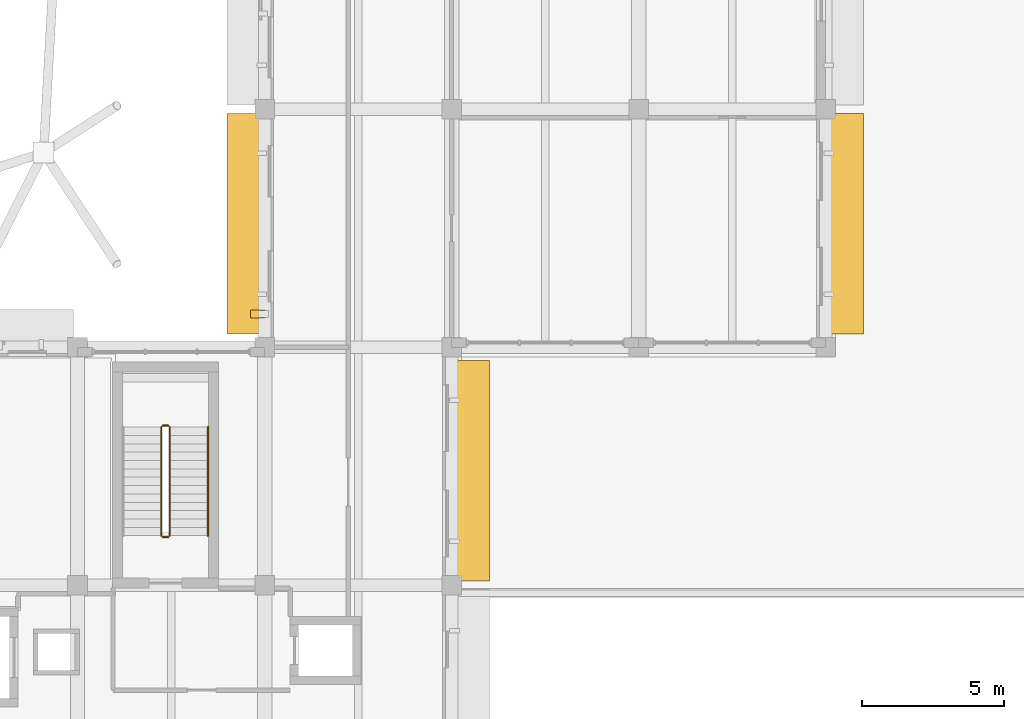
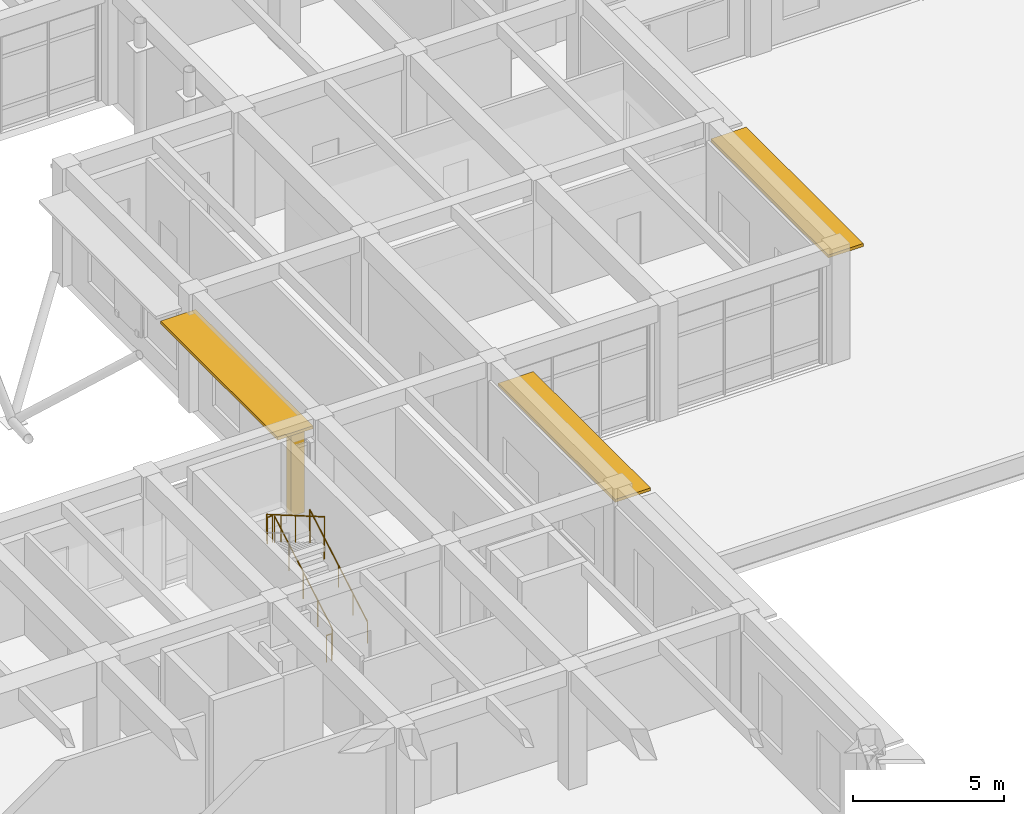
# One storey, part 71 of 75: 5 railings, 4 shading devices.
"""IFC4 building model written with IfcOpenShell, lengths in metres."""

from ifc_helpers import new_model, si_unit, direction, frame, origin, origin_2d, place, context, subcontext, project, spatial, rectangle, circle, extrude, material, layer, layer_set, type_object, element, save


model = new_model("IFC4")

# Units and contexts
model_context = context("Model", 3, precision=1e-05, world=origin(), true_north=direction((0.0, 1.0)))
body_context = subcontext(model_context, "Body", "Model", "MODEL_VIEW")
ifc_project = project(units=[si_unit("LENGTHUNIT", "METRE"), si_unit("AREAUNIT", "SQUARE_METRE"), si_unit("VOLUMEUNIT", "CUBIC_METRE"), si_unit("PLANEANGLEUNIT", "RADIAN"), si_unit("MASSUNIT", "GRAM", prefix="KILO")], contexts=[model_context])

# Site, building, storey
site_placement = place(None, origin())
site = spatial("IfcSite", under=ifc_project, at=site_placement, CompositionType="ELEMENT")
building_placement = place(site_placement, origin())
building = spatial("IfcBuilding", under=site, at=building_placement, Name="Kolvaren Faculty of Natural Sciences", CompositionType="ELEMENT")
storey_placement = place(building_placement, frame((0.0, 0.0, 5.39990234375)))
storey = spatial("IfcBuildingStorey", under=building, at=storey_placement, Name="L01", CompositionType="ELEMENT", Elevation=5.39990234375)

# Shading devices
ifc_material_1 = material(Name="Precast concrete C35/45", Category="concrete")
ifc_layer_1 = layer(ifc_material_1, 0.1201171875)
ifc_layer_set_1 = layer_set([ifc_layer_1], Name="Precast concrete C35/45")
shading_device_type_1 = type_object("IfcShadingDeviceType", Name="ChhajjaSolarHood_1350", PredefinedType="AWNING", material=ifc_layer_set_1)
for number, where, z_axis, x_axis, name in (
    (1, (131.544921875, 46.56005859375, 3.844970703125), (0.0, 0.0, 1.0), (0.0, 1.0, 0.0), "L01 precast sandstone chhajja solar hood 38"),
    (2, (152.655029296875, 46.56005859375, 3.844970703125), (0.0, 0.0, 1.0), (0.0, -1.0, 0.0), "L01 precast sandstone chhajja solar hood 55"),
    (3, (139.455078125, 37.840087890625, 3.844970703125), (0.0, 0.0, 1.0), (0.0, -1.0, 0.0), "L01 precast sandstone chhajja solar hood 56"),
):
    element("IfcShadingDevice", number, at=place(storey_placement, frame(where, z_axis=z_axis, x_axis=x_axis)), inside=storey, type_object=shading_device_type_1, Name=name, PredefinedType="AWNING", context=body_context, shape_type="SweptSolid", body=[
        extrude(rectangle(XDim=7.780029296875, YDim=1.35009765625, at=origin_2d()), origin(), (0.0, 0.0, 1.0), 0.1201171875),
    ])
ifc_layer_2 = layer(ifc_material_1, 0.280029296875)
ifc_layer_set_2 = layer_set([ifc_layer_2], Name="Precast concrete C35/45")
shading_device_type_2 = type_object("IfcShadingDeviceType", Name="FacadeReliefFin_280x520", PredefinedType="USERDEFINED", material=ifc_layer_set_2)
shading_device_placement = place(storey_placement, frame((131.9599609375, 43.3701171875, 0.1201171875), z_axis=(0.0, 0.0, 1.0), x_axis=(0.0, 1.0, 0.0)))
element("IfcShadingDevice", 4, at=shading_device_placement, inside=storey, type_object=shading_device_type_2, Name="L01 projecting sandstone facade relief fin 1", ObjectType="FIN", PredefinedType="USERDEFINED", context=body_context, shape_type="SweptSolid", body=[
    extrude(rectangle(XDim=0.280029296875, YDim=0.52001953125, at=origin_2d()), origin(), (0.0, 0.0, 1.0), 3.804931640625),
])

# Railings
ifc_material_2 = material(Name="Structural steel EN 10210-1 S355J2H", Category="steel")
ifc_layer_3 = layer(ifc_material_2, 0.048095703125)
ifc_layer_set_3 = layer_set([ifc_layer_3], Name="Structural steel EN 10210-1 S355J2H")
railing_type_1 = type_object("IfcRailingType", Name="StairPitchHandrail_920", PredefinedType="HANDRAIL", material=ifc_layer_set_3)
railing_1_placement = place(storey_placement, frame((130.199951171875, 35.550048828125, 0.171630859375)))
element("IfcRailing", 5, at=railing_1_placement, inside=storey, type_object=railing_type_1, Name="L01 ST-3 stair handrail 1", PredefinedType="HANDRAIL", context=body_context, shape_type="SweptSolid", body=[
    extrude(circle(Radius=0.02392578125, at=origin_2d()), frame((0.0, 0.0, 0.8759765625), z_axis=(0.0, 0.86461618451, 0.502432934314), x_axis=(-1.0, 0.0, 0.0)), (0.0, 0.0, 1.0), 4.435546875),
    extrude(circle(Radius=0.02099609375, at=origin_2d()), origin(), (0.0, 0.0, 1.0), 0.851806640625),
    extrude(circle(Radius=0.02099609375, at=origin_2d()), frame((0.0, 0.958740234375, 0.55712890625)), (0.0, 0.0, 1.0), 0.851806640625),
    extrude(circle(Radius=0.02099609375, at=origin_2d()), frame((0.0, 1.91748046875, 1.1142578125)), (0.0, 0.0, 1.0), 0.851806640625),
    extrude(circle(Radius=0.02099609375, at=origin_2d()), frame((0.0, 2.876220703125, 1.67138671875)), (0.0, 0.0, 1.0), 0.851806640625),
    extrude(circle(Radius=0.02099609375, at=origin_2d()), frame((0.0, 3.8349609375, 2.228515625)), (0.0, 0.0, 1.0), 0.851806640625),
])
ifc_layer_4 = layer(ifc_material_2, 0.048095703125)
ifc_layer_set_4 = layer_set([ifc_layer_4], Name="Structural steel EN 10210-1 S355J2H")
railing_type_2 = type_object("IfcRailingType", Name="StairWellGuard_1100", PredefinedType="BALUSTRADE", material=ifc_layer_set_4)
railing_2_placement = place(storey_placement, frame((128.85009765625, 35.550048828125, 0.171630859375)))
element("IfcRailing", 6, at=railing_2_placement, inside=storey, type_object=railing_type_2, Name="L01 ST-3 stair guard 1", PredefinedType="BALUSTRADE", context=body_context, shape_type="SweptSolid", body=[
    extrude(circle(Radius=0.02392578125, at=origin_2d()), frame((0.0, 0.0, 1.076171875), z_axis=(0.0, 0.86461618451, 0.502432934314), x_axis=(-1.0, 0.0, 0.0)), (0.0, 0.0, 1.0), 4.435546875),
    extrude(circle(Radius=0.02099609375, at=origin_2d()), origin(), (0.0, 0.0, 1.0), 1.052001953125),
    extrude(circle(Radius=0.02099609375, at=origin_2d()), frame((0.0, 0.958740234375, 0.55712890625)), (0.0, 0.0, 1.0), 1.052001953125),
    extrude(circle(Radius=0.02099609375, at=origin_2d()), frame((0.0, 1.91748046875, 1.1142578125)), (0.0, 0.0, 1.0), 1.052001953125),
    extrude(circle(Radius=0.02099609375, at=origin_2d()), frame((0.0, 2.876220703125, 1.67138671875)), (0.0, 0.0, 1.0), 1.052001953125),
    extrude(circle(Radius=0.02099609375, at=origin_2d()), frame((0.0, 3.8349609375, 2.228515625)), (0.0, 0.0, 1.0), 1.052001953125),
])
railing_3_placement = place(storey_placement, frame((128.800048828125, 39.43505859375, 2.400146484375)))
element("IfcRailing", 7, at=railing_3_placement, inside=storey, type_object=railing_type_2, Name="L01 ST-3 stair guard 2", PredefinedType="BALUSTRADE", context=body_context, shape_type="SweptSolid", body=[
    extrude(circle(Radius=0.02392578125, at=origin_2d()), frame((0.0, 0.0, 1.076171875), z_axis=(-1.0, 0.0, 0.0), x_axis=(0.0, -1.0, 0.0)), (0.0, 0.0, 1.0), 0.199951171875),
    extrude(circle(Radius=0.02099609375, at=origin_2d()), origin(), (0.0, 0.0, 1.0), 1.052001953125),
    extrude(circle(Radius=0.02099609375, at=origin_2d()), frame((-0.199951171875, 0.0, 0.0)), (0.0, 0.0, 1.0), 1.052001953125),
])
railing_4_placement = place(storey_placement, frame((128.550048828125, 39.385009765625, 2.571533203125)))
element("IfcRailing", 8, at=railing_4_placement, inside=storey, type_object=railing_type_2, Name="L01 ST-3 stair guard 3", PredefinedType="BALUSTRADE", context=body_context, shape_type="SweptSolid", body=[
    extrude(circle(Radius=0.02392578125, at=origin_2d()), frame((0.0, 0.0, 1.076171875), z_axis=(0.0, -0.86461618451, 0.502432934314), x_axis=(1.0, 0.0, 0.0)), (0.0, 0.0, 1.0), 4.435546875),
    extrude(circle(Radius=0.02099609375, at=origin_2d()), origin(), (0.0, 0.0, 1.0), 1.052001953125),
    extrude(circle(Radius=0.02099609375, at=origin_2d()), frame((0.0, -0.958740234375, 0.55712890625)), (0.0, 0.0, 1.0), 1.052001953125),
    extrude(circle(Radius=0.02099609375, at=origin_2d()), frame((0.0, -1.91748046875, 1.1142578125)), (0.0, 0.0, 1.0), 1.052001953125),
    extrude(circle(Radius=0.02099609375, at=origin_2d()), frame((0.0, -2.876220703125, 1.67138671875)), (0.0, 0.0, 1.0), 1.052001953125),
    extrude(circle(Radius=0.02099609375, at=origin_2d()), frame((0.0, -3.8349609375, 2.228515625)), (0.0, 0.0, 1.0), 1.052001953125),
])
railing_5_placement = place(storey_placement, frame((128.800048828125, 35.5, 0.0)))
element("IfcRailing", 9, at=railing_5_placement, inside=storey, type_object=railing_type_2, Name="L01 ST-3 stair guard 4", PredefinedType="BALUSTRADE", context=body_context, shape_type="SweptSolid", body=[
    extrude(circle(Radius=0.02392578125, at=origin_2d()), frame((0.0, 0.0, 1.076171875), z_axis=(-1.0, 0.0, 0.0), x_axis=(0.0, -1.0, 0.0)), (0.0, 0.0, 1.0), 0.199951171875),
    extrude(circle(Radius=0.02099609375, at=origin_2d()), origin(), (0.0, 0.0, 1.0), 1.052001953125),
    extrude(circle(Radius=0.02099609375, at=origin_2d()), frame((-0.199951171875, 0.0, 0.0)), (0.0, 0.0, 1.0), 1.052001953125),
])

save(model, "model.ifc")
